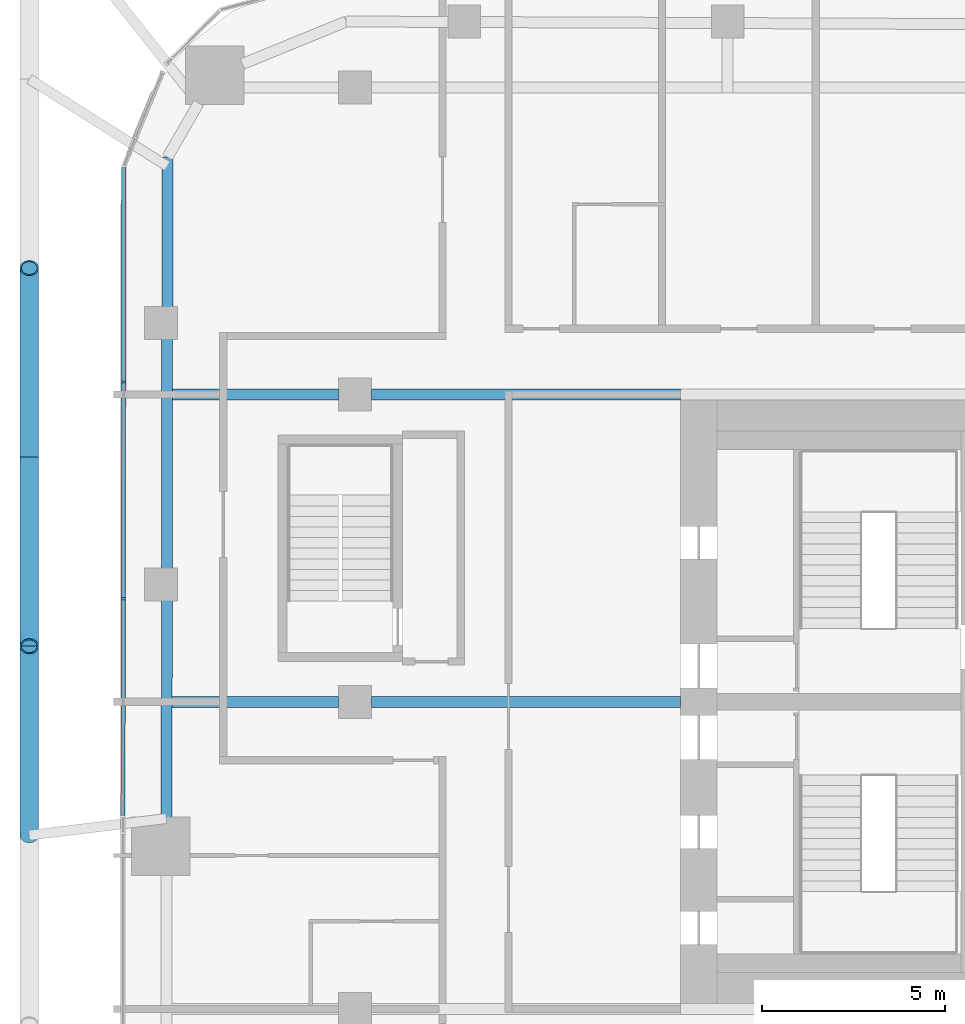
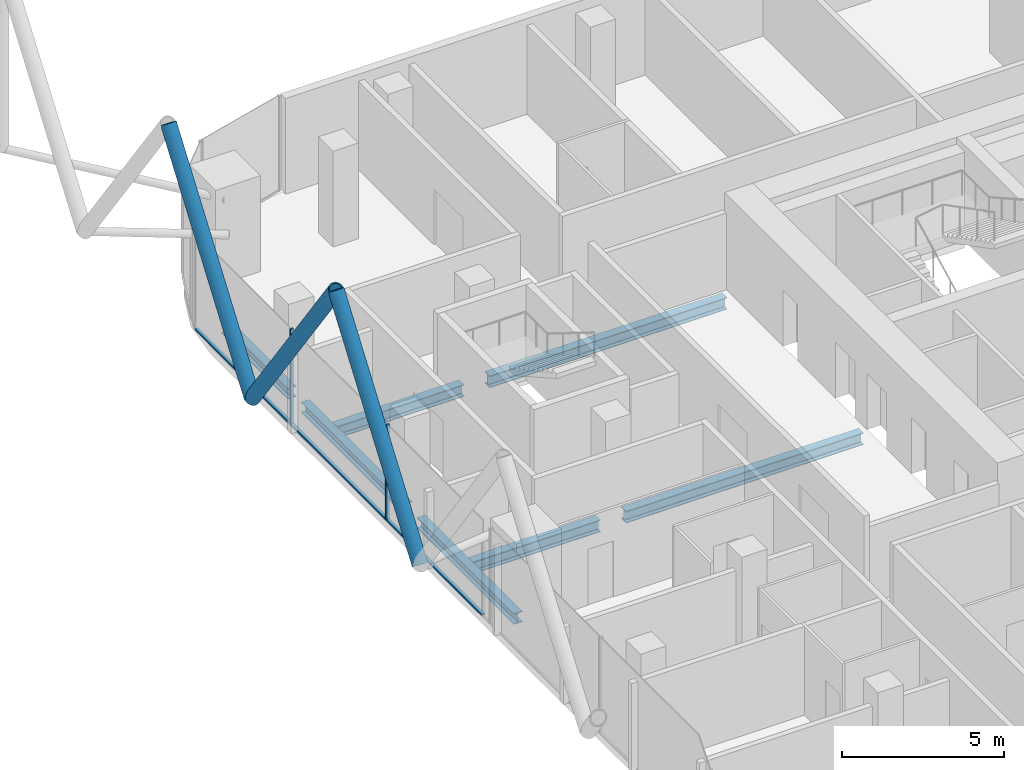
# One storey, part 9 of 36: 8 members, 7 beams, 1 element without a shape of its own.
"""IFC4 building model written with IfcOpenShell, lengths in metres."""

from ifc_helpers import new_model, si_unit, direction, frame, origin, origin_2d, place, context, subcontext, project, spatial, rectangle, hollow_circle, i_section, extrude, material, layer, layer_set, material_profile, profile_set, type_object, element, aggregate, save


model = new_model("IFC4")

# Units and contexts
model_context = context("Model", 3, precision=1e-05, world=origin(), true_north=direction((0.0, 1.0)))
body_context = subcontext(model_context, "Body", "Model", "MODEL_VIEW")
ifc_project = project(units=[si_unit("LENGTHUNIT", "METRE"), si_unit("AREAUNIT", "SQUARE_METRE"), si_unit("VOLUMEUNIT", "CUBIC_METRE"), si_unit("PLANEANGLEUNIT", "RADIAN"), si_unit("MASSUNIT", "GRAM", prefix="KILO")], contexts=[model_context])

# Site, building, storey
site_placement = place(None, origin())
site = spatial("IfcSite", under=ifc_project, at=site_placement, CompositionType="ELEMENT")
building_placement = place(site_placement, origin())
building = spatial("IfcBuilding", under=site, at=building_placement, Name="Marenta Gate Hotel Tower", CompositionType="ELEMENT")
storey_placement = place(building_placement, frame((0.0, 0.0, 158.89990234375)))
storey = spatial("IfcBuildingStorey", under=building, at=storey_placement, Name="L37", CompositionType="ELEMENT", Elevation=158.89990234375)

# Members
ifc_material_1 = material(Name="Steel S355J2W", Category="steel")
ifc_material_profile_1 = material_profile(ifc_material_1, hollow_circle(Radius=0.25390625, WallThickness=0.0400390625, at=origin_2d()), Name="CHS 508x40")
ifc_profile_set_1 = profile_set([ifc_material_profile_1], Name="Steel S355J2W")
member_type_1 = type_object("IfcMemberType", Name="Diagrid diagonal Z2 CHS 508x40", PredefinedType="BRACE", material=ifc_profile_set_1)
member_1_placement = place(storey_placement, frame((-29.89990234375, 4.75, 3.14013671875), z_axis=(0.0, 0.583260841117, 0.812284919975), x_axis=(-1.0, 0.0, 0.0)))
element("IfcMember", 1, at=member_1_placement, inside=storey, type_object=member_type_1, Name="L37-DG-30", PredefinedType="BRACE", context=body_context, shape_type="SweptSolid", body=[
    extrude(hollow_circle(Radius=0.25390625, WallThickness=0.0400390625, at=origin_2d()), origin(), (0.0, 0.0, 1.0), 8.86376953125),
])
member_2_placement = place(storey_placement, frame((-29.89990234375, 15.090087890625, 3.14013671875), z_axis=(0.0, -0.583279014058, 0.812271870595), x_axis=(1.0, 0.0, 0.0)))
element("IfcMember", 2, at=member_2_placement, inside=storey, type_object=member_type_1, Name="L37-DG-31", PredefinedType="BRACE", context=body_context, shape_type="SweptSolid", body=[
    extrude(hollow_circle(Radius=0.25390625, WallThickness=0.0400390625, at=origin_2d()), origin(), (0.0, 0.0, 1.0), 8.864013671875),
])
member_3_placement = place(storey_placement, frame((-29.89990234375, 15.090087890625, 3.14013671875), z_axis=(0.0, 0.583260841117, 0.812284919975), x_axis=(-1.0, 0.0, 0.0)))
element("IfcMember", 3, at=member_3_placement, inside=storey, type_object=member_type_1, Name="L37-DG-32", PredefinedType="BRACE", context=body_context, shape_type="SweptSolid", body=[
    extrude(hollow_circle(Radius=0.25390625, WallThickness=0.0400390625, at=origin_2d()), origin(), (0.0, 0.0, 1.0), 8.86376953125),
])

# Beams
ifc_material_2 = material(Name="Steel S355", Category="steel")
ifc_material_profile_2 = material_profile(ifc_material_2, i_section(OverallWidth=0.300048828125, OverallDepth=0.39990234375, WebThickness=0.013427734375, FlangeThickness=0.02392578125, FilletRadius=0.027099609375, at=origin_2d()), Name="HEB 400")
ifc_profile_set_2 = profile_set([ifc_material_profile_2], Name="Steel S355")
beam_type_1 = type_object("IfcBeamType", Name="Edge beam HEB 400", PredefinedType="SPANDREL", material=ifc_profile_set_2)
beam_1_placement = place(storey_placement, frame((-26.146484375, 5.2099609375, -0.4599609375), z_axis=(0.001387357379, 0.999999037619, 0.0), x_axis=(-0.999999037619, 0.001387357379, 0.0)))
element("IfcBeam", 4, at=beam_1_placement, inside=storey, type_object=beam_type_1, Name="L37-EB-8", PredefinedType="SPANDREL", context=body_context, shape_type="SweptSolid", body=[
    extrude(i_section(OverallWidth=0.300048828125, OverallDepth=0.39990234375, WebThickness=0.013427734375, FlangeThickness=0.02392578125, FilletRadius=0.027099609375, at=origin_2d()), origin(), (0.0, 0.0, 1.0), 5.983154296875),
])
beam_2_placement = place(storey_placement, frame((-26.136962890625, 12.01318359375, -0.4599609375), z_axis=(0.001387763206, 0.999999037056, 0.0), x_axis=(-0.999999037056, 0.001387763206, 0.0)))
element("IfcBeam", 5, at=beam_2_placement, inside=storey, type_object=beam_type_1, Name="L37-EB-9", PredefinedType="SPANDREL", context=body_context, shape_type="SweptSolid", body=[
    extrude(i_section(OverallWidth=0.300048828125, OverallDepth=0.39990234375, WebThickness=0.013427734375, FlangeThickness=0.02392578125, FilletRadius=0.027099609375, at=origin_2d()), origin(), (0.0, 0.0, 1.0), 6.333251953125),
])
beam_3_placement = place(storey_placement, frame((-26.126953125, 19.16650390625, -0.4599609375), z_axis=(0.001361187116, 0.999999073584, 0.0), x_axis=(-0.999999073584, 0.001361187116, 0.0)))
element("IfcBeam", 6, at=beam_3_placement, inside=storey, type_object=beam_type_1, Name="L37-EB-10", PredefinedType="SPANDREL", context=body_context, shape_type="SweptSolid", body=[
    extrude(i_section(OverallWidth=0.300048828125, OverallDepth=0.39990234375, WebThickness=0.013427734375, FlangeThickness=0.02392578125, FilletRadius=0.027099609375, at=origin_2d()), origin(), (0.0, 0.0, 1.0), 4.125244140625),
])
ifc_material_3 = material(Name="Steel S355", Category="steel")
ifc_material_profile_3 = material_profile(ifc_material_3, i_section(OverallWidth=0.300048828125, OverallDepth=0.449951171875, WebThickness=0.013916015625, FlangeThickness=0.02587890625, FilletRadius=0.027099609375, at=origin_2d()), Name="HEB 450")
ifc_profile_set_3 = profile_set([ifc_material_profile_3], Name="Steel S355")
beam_type_2 = type_object("IfcBeamType", Name="Girder HEB 450", PredefinedType="BEAM", material=ifc_profile_set_3)
beam_4_placement = place(storey_placement, frame((-25.991943359375, 8.39990234375, -0.48486328125), z_axis=(1.0, 0.0, 0.0), x_axis=(0.0, 1.0, 0.0)))
element("IfcBeam", 7, at=beam_4_placement, inside=storey, type_object=beam_type_2, Name="L37-GD-20", PredefinedType="BEAM", context=body_context, shape_type="SweptSolid", body=[
    extrude(i_section(OverallWidth=0.300048828125, OverallDepth=0.449951171875, WebThickness=0.013916015625, FlangeThickness=0.02587890625, FilletRadius=0.027099609375, at=origin_2d()), origin(), (0.0, 0.0, 1.0), 4.5419921875),
])
beam_5_placement = place(storey_placement, frame((-20.550048828125, 8.39990234375, -0.48486328125), z_axis=(1.0, 0.0, 0.0), x_axis=(0.0, 1.0, 0.0)))
element("IfcBeam", 8, at=beam_5_placement, inside=storey, type_object=beam_type_2, Name="L37-GD-21", PredefinedType="BEAM", context=body_context, shape_type="SweptSolid", body=[
    extrude(i_section(OverallWidth=0.300048828125, OverallDepth=0.449951171875, WebThickness=0.013916015625, FlangeThickness=0.02587890625, FilletRadius=0.027099609375, at=origin_2d()), origin(), (0.0, 0.0, 1.0), 8.449951171875),
])
beam_6_placement = place(storey_placement, frame((-25.980224609375, 16.800048828125, -0.48486328125), z_axis=(1.0, 0.0, 0.0), x_axis=(0.0, 1.0, 0.0)))
element("IfcBeam", 9, at=beam_6_placement, inside=storey, type_object=beam_type_2, Name="L37-GD-24", PredefinedType="BEAM", context=body_context, shape_type="SweptSolid", body=[
    extrude(i_section(OverallWidth=0.300048828125, OverallDepth=0.449951171875, WebThickness=0.013916015625, FlangeThickness=0.02587890625, FilletRadius=0.027099609375, at=origin_2d()), origin(), (0.0, 0.0, 1.0), 4.5302734375),
])
beam_7_placement = place(storey_placement, frame((-20.550048828125, 16.800048828125, -0.48486328125), z_axis=(1.0, 0.0, 0.0), x_axis=(0.0, 1.0, 0.0)))
element("IfcBeam", 10, at=beam_7_placement, inside=storey, type_object=beam_type_2, Name="L37-GD-25", PredefinedType="BEAM", context=body_context, shape_type="SweptSolid", body=[
    extrude(i_section(OverallWidth=0.300048828125, OverallDepth=0.449951171875, WebThickness=0.013916015625, FlangeThickness=0.02587890625, FilletRadius=0.027099609375, at=origin_2d()), origin(), (0.0, 0.0, 1.0), 8.449951171875),
])

# Curtain wall, members
ifc_material_4 = material(Name="Tinted insulated glass in bronze anodised frame", Category="glass")
ifc_layer = layer(ifc_material_4, 0.1201171875)
ifc_layer_set = layer_set([ifc_layer], Name="Tinted insulated glass in bronze anodised frame")
curtain_wall_type = type_object("IfcCurtainWallType", Name="Tower unitised curtain wall CW1", PredefinedType="NOTDEFINED", material=ifc_layer_set)
curtain_wall_placement = place(storey_placement, origin())
curtain_wall = element("IfcCurtainWall", 11, at=curtain_wall_placement, inside=storey, type_object=curtain_wall_type, Name="CW1 run G06", PredefinedType="NOTDEFINED")
ifc_material_5 = material(Name="Bronze anodised aluminium", Category="aluminium")
ifc_material_profile_4 = material_profile(ifc_material_5, rectangle(XDim=0.1201171875, YDim=0.06005859375, at=origin_2d()), Name="Mullion CW1 60x120 bronze anodised aluminium")
ifc_profile_set_4 = profile_set([ifc_material_profile_4], Name="Bronze anodised aluminium")
member_type_2 = type_object("IfcMemberType", Name="Mullion CW1 60x120 bronze anodised aluminium", PredefinedType="MULLION", material=ifc_profile_set_4)
member_4_placement = place(storey_placement, frame((-27.321533203125, 17.141357421875, 0.0), z_axis=(0.0, 0.0, 1.0), x_axis=(0.999998768051, -0.001569680138, 0.0)))
member_4 = element("IfcMember", 12, at=member_4_placement, type_object=member_type_2, Name="CW1 mullion 2", PredefinedType="MULLION", context=body_context, shape_type="SweptSolid", body=[
    extrude(rectangle(XDim=0.1201171875, YDim=0.06005859375, at=origin_2d()), origin(), (0.0, 0.0, 1.0), 3.60009765625),
])
member_5_placement = place(storey_placement, frame((-27.330810546875, 11.216552734375, 0.0), z_axis=(0.0, 0.0, 1.0), x_axis=(0.999998768051, -0.001569680138, 0.0)))
member_5 = element("IfcMember", 13, at=member_5_placement, type_object=member_type_2, Name="CW1 mullion 3", PredefinedType="MULLION", context=body_context, shape_type="SweptSolid", body=[
    extrude(rectangle(XDim=0.1201171875, YDim=0.06005859375, at=origin_2d()), origin(), (0.0, 0.0, 1.0), 3.60009765625),
])
ifc_material_6 = material(Name="Bronze anodised aluminium", Category="aluminium")
ifc_material_profile_5 = material_profile(ifc_material_6, rectangle(XDim=0.1201171875, YDim=0.06005859375, at=origin_2d()), Name="Transom CW1 60x120 bronze anodised aluminium")
ifc_profile_set_5 = profile_set([ifc_material_profile_5], Name="Bronze anodised aluminium")
member_type_3 = type_object("IfcMemberType", Name="Transom CW1 60x120 bronze anodised aluminium", PredefinedType="USERDEFINED", material=ifc_profile_set_5)
member_6_placement = place(storey_placement, frame((-27.3125, 23.006103515625, 0.030029296875), z_axis=(-0.001548180077, -0.999998801569, 0.0), x_axis=(0.999998801569, -0.001548180077, 0.0)))
member_6 = element("IfcMember", 14, at=member_6_placement, type_object=member_type_3, Name="CW1 transom 1.1", ObjectType="TRANSOM", PredefinedType="USERDEFINED", context=body_context, shape_type="SweptSolid", body=[
    extrude(rectangle(XDim=0.1201171875, YDim=0.06005859375, at=origin_2d()), origin(), (0.0, 0.0, 1.0), 5.834716796875),
])
member_7_placement = place(storey_placement, frame((-27.321533203125, 17.111328125, 0.030029296875), z_axis=(-0.001581881294, -0.999998748825, 0.0), x_axis=(0.999998748825, -0.001581881294, 0.0)))
member_7 = element("IfcMember", 15, at=member_7_placement, type_object=member_type_3, Name="CW1 transom 2.1", ObjectType="TRANSOM", PredefinedType="USERDEFINED", context=body_context, shape_type="SweptSolid", body=[
    extrude(rectangle(XDim=0.1201171875, YDim=0.06005859375, at=origin_2d()), origin(), (0.0, 0.0, 1.0), 5.86474609375),
])
member_8_placement = place(storey_placement, frame((-27.3310546875, 11.186767578125, 0.030029296875), z_axis=(-0.001532406567, -0.999998825864, 0.0), x_axis=(0.999998825864, -0.001532406567, 0.0)))
member_8 = element("IfcMember", 16, at=member_8_placement, type_object=member_type_3, Name="CW1 transom 3.1", ObjectType="TRANSOM", PredefinedType="USERDEFINED", context=body_context, shape_type="SweptSolid", body=[
    extrude(rectangle(XDim=0.1201171875, YDim=0.06005859375, at=origin_2d()), origin(), (0.0, 0.0, 1.0), 5.894775390625),
])
aggregate(curtain_wall, [member_4, member_5, member_6, member_7, member_8])

save(model, "model.ifc")
